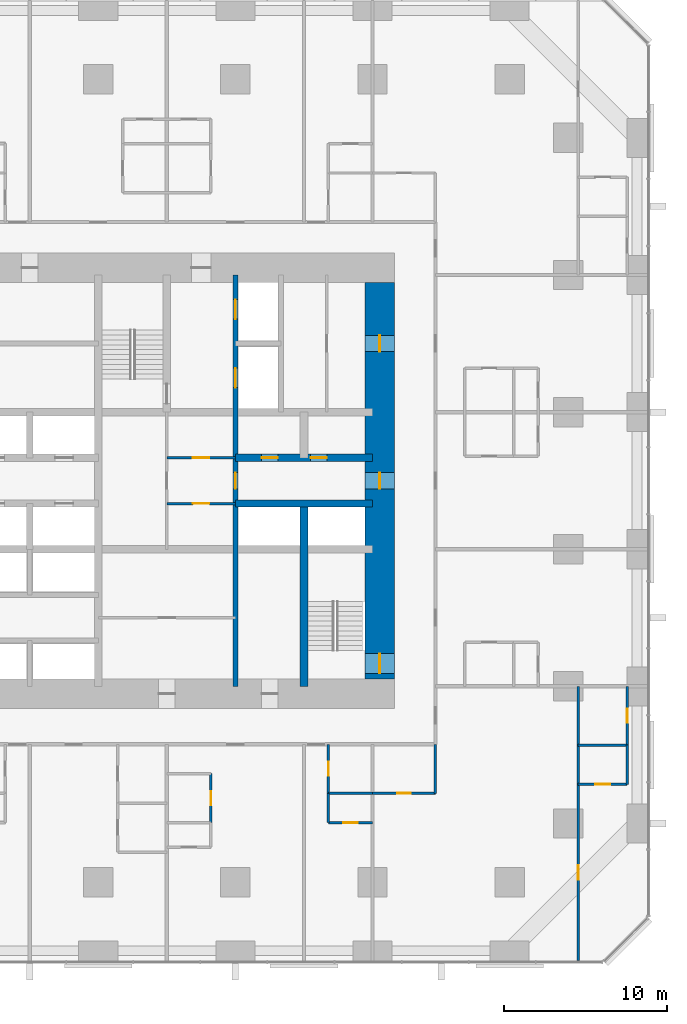
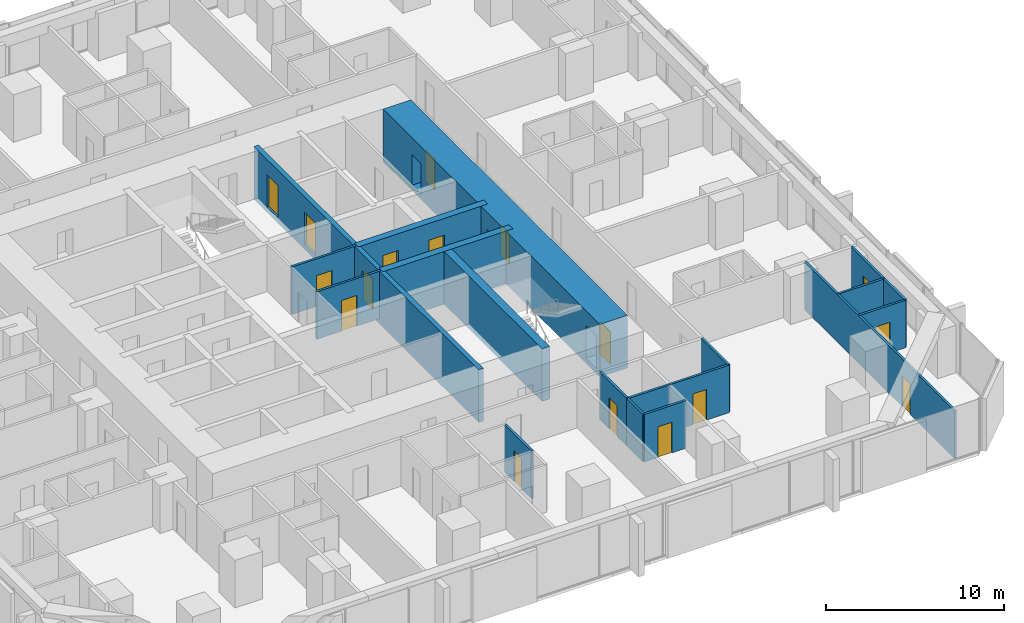
# One storey, part 13 of 17: 19 walls, 17 doors, 17 openings.
"""IFC4 building model written with IfcOpenShell, lengths in metres."""

from ifc_helpers import new_model, si_unit, direction, frame, frame_2d, origin, place, context, subcontext, project, spatial, rectangle, extrude, material, layer, layer_set, type_object, element, fill, save


model = new_model("IFC4")

# Units and contexts
model_context = context("Model", 3, precision=1e-05, world=origin(), true_north=direction((0.0, 1.0)))
body_context = subcontext(model_context, "Body", "Model", "MODEL_VIEW")
ifc_project = project(units=[si_unit("LENGTHUNIT", "METRE"), si_unit("AREAUNIT", "SQUARE_METRE"), si_unit("VOLUMEUNIT", "CUBIC_METRE"), si_unit("PLANEANGLEUNIT", "RADIAN"), si_unit("MASSUNIT", "GRAM", prefix="KILO")], contexts=[model_context])

# Site, building, storey
site_placement = place(None, origin())
site = spatial("IfcSite", under=ifc_project, at=site_placement, CompositionType="ELEMENT")
building_placement = place(site_placement, origin())
building = spatial("IfcBuilding", under=site, at=building_placement, Name="Dunama Terrace Hotel", CompositionType="ELEMENT")
storey_placement = place(building_placement, frame((0.0, 0.0, 34.199951171875)))
storey = spatial("IfcBuildingStorey", under=building, at=storey_placement, Name="L07", CompositionType="ELEMENT", Elevation=34.199951171875)

# Wall, opening, door
ifc_material_1 = material(Name="Gypsum board partition", Category="masonry")
ifc_layer_1 = layer(ifc_material_1, 0.14990234375)
ifc_layer_set_1 = layer_set([ifc_layer_1], Name="Bathroom partition 150")
wall_type_1 = type_object("IfcWallType", Name="Bathroom partition 150", PredefinedType="PARTITIONING", material=ifc_layer_set_1)
wall_1_placement = place(storey_placement, frame((32.10009765625, 8.449951171875, 0.0), z_axis=(0.0, 0.0, 1.0), x_axis=(0.0, 1.0, 0.0)))
wall_1 = element("IfcWall", 1, at=wall_1_placement, inside=storey, type_object=wall_type_1, Name="Bathroom partition 150 L07", PredefinedType="PARTITIONING", context=body_context, shape_type="SweptSolid", body=[
    extrude(rectangle(XDim=3.0, YDim=0.14990234375, at=frame_2d((1.5, 0.0))), origin(), (0.0, 0.0, 1.0), 3.25),
])
opening_1_placement = place(wall_1_placement, frame((1.074951171875, 0.0, 0.0)))
opening_1 = element("IfcOpeningElement", 2, at=opening_1_placement, cuts=wall_1, Name="Opening L07-09-016", PredefinedType="OPENING", context=body_context, shape_type="SweptSolid", body=[
    extrude(rectangle(XDim=0.85009765625, YDim=2.10009765625, at=frame_2d((0.425048828125, 1.050048828125))), frame((0.0, 0.0849609375, 0.0), z_axis=(0.0, -1.0, 0.0), x_axis=(1.0, 0.0, 0.0)), (0.0, 0.0, 1.0), 0.169921875),
])
ifc_material_2 = material(Name="Timber door with steel frame", Category="steel")
door_type_1 = type_object("IfcDoorType", Name="Bathroom door 850", OperationType="SINGLE_SWING_LEFT", PredefinedType="DOOR", material=ifc_material_2)
door_1_placement = place(opening_1_placement, origin())
door_1 = element("IfcDoor", 3, at=door_1_placement, inside=storey, type_object=door_type_1, Name="Door to en-suite bathroom L07-09-016, type D2", OperationType="SINGLE_SWING_LEFT", OverallHeight=2.10009765625, OverallWidth=0.85009765625, PredefinedType="DOOR", context=body_context, shape_type="SweptSolid", body=[
    extrude(rectangle(XDim=0.85009765625, YDim=2.10009765625, at=frame_2d((0.425048828125, 1.050048828125))), frame((0.0, 0.02490234375, 0.0), z_axis=(0.0, -1.0, 0.0), x_axis=(1.0, 0.0, 0.0)), (0.0, 0.0, 1.0), 0.050048828125),
])
fill(opening_1, door_1)

wall_2_placement = place(storey_placement, frame((39.300048828125, 10.25, 0.0), z_axis=(0.0, 0.0, 1.0), x_axis=(0.0, 1.0, 0.0)))
wall_2 = element("IfcWall", 4, at=wall_2_placement, inside=storey, type_object=wall_type_1, Name="Bathroom partition 150 L07", PredefinedType="PARTITIONING", context=body_context, shape_type="SweptSolid", body=[
    extrude(rectangle(XDim=3.0, YDim=0.14990234375, at=frame_2d((1.5, 0.0))), origin(), (0.0, 0.0, 1.0), 3.25),
])
opening_2_placement = place(wall_2_placement, frame((1.074951171875, 0.0, 0.0)))
opening_2 = element("IfcOpeningElement", 5, at=opening_2_placement, cuts=wall_2, Name="Opening L07-09-019", PredefinedType="OPENING", context=body_context, shape_type="SweptSolid", body=[
    extrude(rectangle(XDim=0.85009765625, YDim=2.10009765625, at=frame_2d((0.425048828125, 1.050048828125))), frame((0.0, 0.0849609375, 0.0), z_axis=(0.0, -1.0, 0.0), x_axis=(1.0, 0.0, 0.0)), (0.0, 0.0, 1.0), 0.169921875),
])
door_2_placement = place(opening_2_placement, frame((0.85009765625, 0.0, 0.0), z_axis=(0.0, 0.0, 1.0), x_axis=(-1.0, 0.0, 0.0)))
door_2 = element("IfcDoor", 6, at=door_2_placement, inside=storey, type_object=door_type_1, Name="Door to en-suite bathroom L07-09-019, type D2", OperationType="SINGLE_SWING_LEFT", OverallHeight=2.10009765625, OverallWidth=0.85009765625, PredefinedType="DOOR", context=body_context, shape_type="SweptSolid", body=[
    extrude(rectangle(XDim=0.85009765625, YDim=2.10009765625, at=frame_2d((0.425048828125, 1.050048828125))), frame((0.0, 0.025146484375, 0.0), z_axis=(0.0, -1.0, 0.0), x_axis=(1.0, 0.0, 0.0)), (0.0, 0.0, 1.0), 0.050048828125),
])
fill(opening_2, door_2)

# Wall
wall_3_placement = place(storey_placement, frame((45.85009765625, 10.25, 0.0), z_axis=(0.0, 0.0, 1.0), x_axis=(0.0, 1.0, 0.0)))
element("IfcWall", 7, at=wall_3_placement, inside=storey, type_object=wall_type_1, Name="Bathroom partition 150 L07", PredefinedType="PARTITIONING", context=body_context, shape_type="SweptSolid", body=[
    extrude(rectangle(XDim=3.0, YDim=0.14990234375, at=frame_2d((1.5, 0.0))), origin(), (0.0, 0.0, 1.0), 3.25),
])

# Wall, opening, door
wall_4_placement = place(storey_placement, frame((57.60009765625, 13.199951171875, 0.0), z_axis=(0.0, 0.0, 1.0), x_axis=(0.0, 1.0, 0.0)))
wall_4 = element("IfcWall", 8, at=wall_4_placement, inside=storey, type_object=wall_type_1, Name="Bathroom partition 150 L07", PredefinedType="PARTITIONING", context=body_context, shape_type="SweptSolid", body=[
    extrude(rectangle(XDim=3.60009765625, YDim=0.14990234375, at=frame_2d((1.800048828125, 0.0))), origin(), (0.0, 0.0, 1.0), 3.25),
])
opening_3_placement = place(wall_4_placement, frame((1.375, 0.0, 0.0)))
opening_3 = element("IfcOpeningElement", 9, at=opening_3_placement, cuts=wall_4, Name="Opening L07-09-066", PredefinedType="OPENING", context=body_context, shape_type="SweptSolid", body=[
    extrude(rectangle(XDim=0.85009765625, YDim=2.10009765625, at=frame_2d((0.425048828125, 1.050048828125))), frame((0.0, 0.0849609375, 0.0), z_axis=(0.0, -1.0, 0.0), x_axis=(1.0, 0.0, 0.0)), (0.0, 0.0, 1.0), 0.169921875),
])
door_3_placement = place(opening_3_placement, origin())
door_3 = element("IfcDoor", 10, at=door_3_placement, inside=storey, type_object=door_type_1, Name="Door to en-suite bathroom L07-09-066, type D2", OperationType="SINGLE_SWING_RIGHT", OverallHeight=2.10009765625, OverallWidth=0.85009765625, PredefinedType="DOOR", context=body_context, shape_type="SweptSolid", body=[
    extrude(rectangle(XDim=0.85009765625, YDim=2.10009765625, at=frame_2d((0.425048828125, 1.050048828125))), frame((0.0, 0.02490234375, 0.0), z_axis=(0.0, -1.0, 0.0), x_axis=(1.0, 0.0, 0.0)), (0.0, 0.0, 1.0), 0.050048828125),
])
fill(opening_3, door_3)

wall_5_placement = place(storey_placement, frame((42.0, 10.25, 0.0), z_axis=(0.0, 0.0, 1.0), x_axis=(1.0, 0.0, 0.0)))
wall_5 = element("IfcWall", 11, at=wall_5_placement, inside=storey, type_object=wall_type_1, Name="Bathroom partition 150 L07", PredefinedType="PARTITIONING", context=body_context, shape_type="SweptSolid", body=[
    extrude(rectangle(XDim=3.85009765625, YDim=0.14990234375, at=frame_2d((1.925048828125, 0.0))), origin(), (0.0, 0.0, 1.0), 3.25),
])
opening_4_placement = place(wall_5_placement, frame((1.5, 0.0, 0.0)))
opening_4 = element("IfcOpeningElement", 12, at=opening_4_placement, cuts=wall_5, Name="Opening L07-09-064", PredefinedType="OPENING", context=body_context, shape_type="SweptSolid", body=[
    extrude(rectangle(XDim=0.85009765625, YDim=2.10009765625, at=frame_2d((0.425048828125, 1.050048828125))), frame((0.0, 0.0849609375, 0.0), z_axis=(0.0, -1.0, 0.0), x_axis=(1.0, 0.0, 0.0)), (0.0, 0.0, 1.0), 0.169921875),
])
door_4_placement = place(opening_4_placement, origin())
door_4 = element("IfcDoor", 13, at=door_4_placement, inside=storey, type_object=door_type_1, Name="Door to powder room L07-09-064, type D2", OperationType="SINGLE_SWING_LEFT", OverallHeight=2.10009765625, OverallWidth=0.85009765625, PredefinedType="DOOR", context=body_context, shape_type="SweptSolid", body=[
    extrude(rectangle(XDim=0.85009765625, YDim=2.10009765625, at=frame_2d((0.425048828125, 1.050048828125))), frame((0.0, 0.02490234375, 0.0), z_axis=(0.0, -1.0, 0.0), x_axis=(1.0, 0.0, 0.0)), (0.0, 0.0, 1.0), 0.050048828125),
])
fill(opening_4, door_4)

# Wall, openings, doors
ifc_material_3 = material(Name="Concrete C50/60", Category="concrete")
ifc_layer_2 = layer(ifc_material_3, 0.300048828125)
ifc_layer_set_2 = layer_set([ifc_layer_2], Name="Core inner wall 300")
wall_type_2 = type_object("IfcWallType", Name="Core inner wall 300", PredefinedType="SHEAR", material=ifc_layer_set_2)
wall_6_placement = place(storey_placement, frame((33.60009765625, 16.800048828125, -0.349853515625), z_axis=(0.0, 0.0, 1.0), x_axis=(0.0, 1.0, 0.0)))
wall_6 = element("IfcWall", 14, at=wall_6_placement, inside=storey, type_object=wall_type_2, Name="Core inner wall 300 L07", PredefinedType="SHEAR", context=body_context, shape_type="SweptSolid", body=[
    extrude(rectangle(XDim=25.199951171875, YDim=0.300048828125, at=frame_2d((12.60009765625, 0.0))), origin(), (0.0, 0.0, 1.0), 3.599853515625),
])
opening_5_placement = place(wall_6_placement, frame((22.5, 0.0, 0.35009765625)))
opening_5 = element("IfcOpeningElement", 15, at=opening_5_placement, cuts=wall_6, Name="Opening L07-09-007", PredefinedType="OPENING", context=body_context, shape_type="SweptSolid", body=[
    extrude(rectangle(XDim=1.199951171875, YDim=2.199951171875, at=frame_2d((0.60009765625, 1.10009765625))), frame((0.0, 0.159912109375, 0.0), z_axis=(0.0, -1.0, 0.0), x_axis=(1.0, 0.0, 0.0)), (0.0, 0.0, 1.0), 0.320068359375),
])
opening_6_placement = place(wall_6_placement, frame((18.300048828125, 0.0, 0.35009765625)))
opening_6 = element("IfcOpeningElement", 16, at=opening_6_placement, cuts=wall_6, Name="Opening L07-09-008", PredefinedType="OPENING", context=body_context, shape_type="SweptSolid", body=[
    extrude(rectangle(XDim=1.199951171875, YDim=2.199951171875, at=frame_2d((0.60009765625, 1.10009765625))), frame((0.0, 0.159912109375, 0.0), z_axis=(0.0, -1.0, 0.0), x_axis=(1.0, 0.0, 0.0)), (0.0, 0.0, 1.0), 0.320068359375),
])
opening_7_placement = place(wall_6_placement, frame((12.10009765625, 0.0, 0.35009765625)))
opening_7 = element("IfcOpeningElement", 17, at=opening_7_placement, cuts=wall_6, Name="Opening L07-09-082", PredefinedType="OPENING", context=body_context, shape_type="SweptSolid", body=[
    extrude(rectangle(XDim=1.0, YDim=2.10009765625, at=frame_2d((0.5, 1.050048828125))), frame((0.0, 0.159912109375, 0.0), z_axis=(0.0, -1.0, 0.0), x_axis=(1.0, 0.0, 0.0)), (0.0, 0.0, 1.0), 0.320068359375),
])
ifc_material_4 = material(Name="Stainless steel lift door", Category="steel")
door_type_2 = type_object("IfcDoorType", Name="Firefighting lift landing door 1200", OperationType="DOUBLE_DOOR_SLIDING", PredefinedType="DOOR", material=ifc_material_4)
door_5_placement = place(opening_5_placement, origin())
door_5 = element("IfcDoor", 18, at=door_5_placement, inside=storey, type_object=door_type_2, Name="Landing door FL1 L07-09-007, type LD2", OperationType="DOUBLE_DOOR_SLIDING", OverallHeight=2.199951171875, OverallWidth=1.199951171875, PredefinedType="DOOR", context=body_context, shape_type="SweptSolid", body=[
    extrude(rectangle(XDim=1.199951171875, YDim=2.199951171875, at=frame_2d((0.60009765625, 1.10009765625))), frame((0.0, 0.02490234375, 0.0), z_axis=(0.0, -1.0, 0.0), x_axis=(1.0, 0.0, 0.0)), (0.0, 0.0, 1.0), 0.050048828125),
])
fill(opening_5, door_5)
door_6_placement = place(opening_6_placement, origin())
door_6 = element("IfcDoor", 19, at=door_6_placement, inside=storey, type_object=door_type_2, Name="Landing door FL2 L07-09-008, type LD2", OperationType="DOUBLE_DOOR_SLIDING", OverallHeight=2.199951171875, OverallWidth=1.199951171875, PredefinedType="DOOR", context=body_context, shape_type="SweptSolid", body=[
    extrude(rectangle(XDim=1.199951171875, YDim=2.199951171875, at=frame_2d((0.60009765625, 1.10009765625))), frame((0.0, 0.02490234375, 0.0), z_axis=(0.0, -1.0, 0.0), x_axis=(1.0, 0.0, 0.0)), (0.0, 0.0, 1.0), 0.050048828125),
])
fill(opening_6, door_6)
ifc_material_5 = material(Name="Timber door with steel frame", Category="steel")
door_type_3 = type_object("IfcDoorType", Name="Service door 1000", OperationType="SINGLE_SWING_LEFT", PredefinedType="DOOR", material=ifc_material_5)
door_7_placement = place(opening_7_placement, origin())
door_7 = element("IfcDoor", 20, at=door_7_placement, inside=storey, type_object=door_type_3, Name="Door to staff passage L07-09-082, type D7", OperationType="SINGLE_SWING_LEFT", OverallHeight=2.10009765625, OverallWidth=1.0, PredefinedType="DOOR", context=body_context, shape_type="SweptSolid", body=[
    extrude(rectangle(XDim=1.0, YDim=2.10009765625, at=frame_2d((0.5, 1.050048828125))), frame((0.0, 0.02490234375, 0.0), z_axis=(0.0, -1.0, 0.0), x_axis=(1.0, 0.0, 0.0)), (0.0, 0.0, 1.0), 0.050048828125),
])
fill(opening_7, door_7)

# Wall
ifc_material_6 = material(Name="Concrete C50/60", Category="concrete")
ifc_layer_3 = layer(ifc_material_6, 0.449951171875)
ifc_layer_set_3 = layer_set([ifc_layer_3], Name="Core inner wall 450")
wall_type_3 = type_object("IfcWallType", Name="Core inner wall 450", PredefinedType="SHEAR", material=ifc_layer_set_3)
wall_7_placement = place(storey_placement, frame((33.60009765625, 28.0, -0.349853515625), z_axis=(0.0, 0.0, 1.0), x_axis=(1.0, 0.0, 0.0)))
element("IfcWall", 21, at=wall_7_placement, inside=storey, type_object=wall_type_3, Name="Core inner wall 450 L07", PredefinedType="SHEAR", context=body_context, shape_type="SweptSolid", body=[
    extrude(rectangle(XDim=8.39990234375, YDim=0.449951171875, at=frame_2d((4.199951171875, 0.0))), origin(), (0.0, 0.0, 1.0), 3.599853515625),
])

# Wall, openings, doors
wall_8_placement = place(storey_placement, frame((33.60009765625, 30.800048828125, -0.349853515625), z_axis=(0.0, 0.0, 1.0), x_axis=(1.0, 0.0, 0.0)))
wall_8 = element("IfcWall", 22, at=wall_8_placement, inside=storey, type_object=wall_type_3, Name="Core inner wall 450 L07", PredefinedType="SHEAR", context=body_context, shape_type="SweptSolid", body=[
    extrude(rectangle(XDim=8.39990234375, YDim=0.449951171875, at=frame_2d((4.199951171875, 0.0))), origin(), (0.0, 0.0, 1.0), 3.599853515625),
])
opening_8_placement = place(wall_8_placement, frame((1.60009765625, 0.0, 0.35009765625)))
opening_8 = element("IfcOpeningElement", 23, at=opening_8_placement, cuts=wall_8, Name="Opening L07-09-086", PredefinedType="OPENING", context=body_context, shape_type="SweptSolid", body=[
    extrude(rectangle(XDim=1.0, YDim=2.10009765625, at=frame_2d((0.5, 1.050048828125))), frame((0.0, 0.23486328125, 0.0), z_axis=(0.0, -1.0, 0.0), x_axis=(1.0, 0.0, 0.0)), (0.0, 0.0, 1.0), 0.469970703125),
])
opening_9_placement = place(wall_8_placement, frame((4.60009765625, 0.0, 0.35009765625)))
opening_9 = element("IfcOpeningElement", 24, at=opening_9_placement, cuts=wall_8, Name="Opening L07-09-087", PredefinedType="OPENING", context=body_context, shape_type="SweptSolid", body=[
    extrude(rectangle(XDim=1.0, YDim=2.10009765625, at=frame_2d((0.5, 1.050048828125))), frame((0.0, 0.23486328125, 0.0), z_axis=(0.0, -1.0, 0.0), x_axis=(1.0, 0.0, 0.0)), (0.0, 0.0, 1.0), 0.469970703125),
])
door_8_placement = place(opening_8_placement, origin())
door_8 = element("IfcDoor", 25, at=door_8_placement, inside=storey, type_object=door_type_3, Name="Door to service riser L07-09-086, type D7", OperationType="SINGLE_SWING_RIGHT", OverallHeight=2.10009765625, OverallWidth=1.0, PredefinedType="DOOR", context=body_context, shape_type="SweptSolid", body=[
    extrude(rectangle(XDim=1.0, YDim=2.10009765625, at=frame_2d((0.5, 1.050048828125))), frame((0.0, 0.02490234375, 0.0), z_axis=(0.0, -1.0, 0.0), x_axis=(1.0, 0.0, 0.0)), (0.0, 0.0, 1.0), 0.050048828125),
])
fill(opening_8, door_8)
door_9_placement = place(opening_9_placement, origin())
door_9 = element("IfcDoor", 26, at=door_9_placement, inside=storey, type_object=door_type_3, Name="Door to staff accessible wc L07-09-087, type D7", OperationType="SINGLE_SWING_LEFT", OverallHeight=2.10009765625, OverallWidth=1.0, PredefinedType="DOOR", context=body_context, shape_type="SweptSolid", body=[
    extrude(rectangle(XDim=1.0, YDim=2.10009765625, at=frame_2d((0.5, 1.050048828125))), frame((0.0, 0.02490234375, 0.0), z_axis=(0.0, -1.0, 0.0), x_axis=(1.0, 0.0, 0.0)), (0.0, 0.0, 1.0), 0.050048828125),
])
fill(opening_9, door_9)

# Wall
ifc_material_7 = material(Name="Concrete C50/60", Category="concrete")
ifc_layer_4 = layer(ifc_material_7, 0.5)
ifc_layer_set_4 = layer_set([ifc_layer_4], Name="Core inner wall 500")
wall_type_4 = type_object("IfcWallType", Name="Core inner wall 500", PredefinedType="SHEAR", material=ifc_layer_set_4)
wall_9_placement = place(storey_placement, frame((37.800048828125, 16.800048828125, -0.349853515625), z_axis=(0.0, 0.0, 1.0), x_axis=(0.0, 1.0, 0.0)))
element("IfcWall", 27, at=wall_9_placement, inside=storey, type_object=wall_type_4, Name="Core inner wall 500 L07", PredefinedType="SHEAR", context=body_context, shape_type="SweptSolid", body=[
    extrude(rectangle(XDim=11.199951171875, YDim=0.5, at=frame_2d((5.60009765625, 0.0))), origin(), (0.0, 0.0, 1.0), 3.599853515625),
])

# Wall, openings, doors
ifc_material_8 = material(Name="Concrete C60/75", Category="concrete")
ifc_layer_5 = layer(ifc_material_8, 1.800048828125)
ifc_layer_set_5 = layer_set([ifc_layer_5], Name="Core wall 1800")
wall_type_5 = type_object("IfcWallType", Name="Core wall 1800", PredefinedType="SHEAR", material=ifc_layer_set_5)
wall_10_placement = place(storey_placement, frame((42.449951171875, 17.25, -0.349853515625), z_axis=(0.0, 0.0, 1.0), x_axis=(0.0, 1.0, 0.0)))
wall_10 = element("IfcWall", 28, at=wall_10_placement, inside=storey, type_object=wall_type_5, Name="Core wall east L07", PredefinedType="SHEAR", context=body_context, shape_type="SweptSolid", body=[
    extrude(rectangle(XDim=24.300048828125, YDim=1.800048828125, at=frame_2d((12.14990234375, 0.0))), origin(), (0.0, 0.0, 1.0), 3.599853515625),
])
opening_10_placement = place(wall_10_placement, frame((0.35009765625, 0.0, 0.35009765625)))
opening_10 = element("IfcOpeningElement", 29, at=opening_10_placement, cuts=wall_10, Name="Opening L07-09-002", PredefinedType="OPENING", context=body_context, shape_type="SweptSolid", body=[
    extrude(rectangle(XDim=1.199951171875, YDim=2.199951171875, at=frame_2d((0.60009765625, 1.10009765625))), frame((0.0, 0.909912109375, 0.0), z_axis=(0.0, -1.0, 0.0), x_axis=(1.0, 0.0, 0.0)), (0.0, 0.0, 1.0), 1.820068359375),
])
opening_11_placement = place(wall_10_placement, frame((11.64990234375, 0.0, 0.35009765625)))
opening_11 = element("IfcOpeningElement", 30, at=opening_11_placement, cuts=wall_10, Name="Opening L07-09-088", PredefinedType="OPENING", context=body_context, shape_type="SweptSolid", body=[
    extrude(rectangle(XDim=1.0, YDim=2.10009765625, at=frame_2d((0.5, 1.050048828125))), frame((0.0, 0.909912109375, 0.0), z_axis=(0.0, -1.0, 0.0), x_axis=(1.0, 0.0, 0.0)), (0.0, 0.0, 1.0), 1.820068359375),
])
opening_12_placement = place(wall_10_placement, frame((20.050048828125, 0.0, 0.35009765625)))
opening_12 = element("IfcOpeningElement", 31, at=opening_12_placement, cuts=wall_10, Name="Opening L07-09-090", PredefinedType="OPENING", context=body_context, shape_type="SweptSolid", body=[
    extrude(rectangle(XDim=1.0, YDim=2.10009765625, at=frame_2d((0.5, 1.050048828125))), frame((0.0, 0.909912109375, 0.0), z_axis=(0.0, -1.0, 0.0), x_axis=(1.0, 0.0, 0.0)), (0.0, 0.0, 1.0), 1.820068359375),
])
door_10_placement = place(opening_11_placement, origin())
door_10 = element("IfcDoor", 32, at=door_10_placement, inside=storey, type_object=door_type_3, Name="Door to service lobby L07-09-088, type D7", OperationType="SINGLE_SWING_LEFT", OverallHeight=2.10009765625, OverallWidth=1.0, PredefinedType="DOOR", context=body_context, shape_type="SweptSolid", body=[
    extrude(rectangle(XDim=1.0, YDim=2.10009765625, at=frame_2d((0.5, 1.050048828125))), frame((0.0, 0.02490234375, 0.0), z_axis=(0.0, -1.0, 0.0), x_axis=(1.0, 0.0, 0.0)), (0.0, 0.0, 1.0), 0.050048828125),
])
fill(opening_11, door_10)
door_11_placement = place(opening_12_placement, origin())
door_11 = element("IfcDoor", 33, at=door_11_placement, inside=storey, type_object=door_type_3, Name="Door to housekeeping store L07-09-090, type D7", OperationType="SINGLE_SWING_LEFT", OverallHeight=2.10009765625, OverallWidth=1.0, PredefinedType="DOOR", context=body_context, shape_type="SweptSolid", body=[
    extrude(rectangle(XDim=1.0, YDim=2.10009765625, at=frame_2d((0.5, 1.050048828125))), frame((0.0, 0.02490234375, 0.0), z_axis=(0.0, -1.0, 0.0), x_axis=(1.0, 0.0, 0.0)), (0.0, 0.0, 1.0), 0.050048828125),
])
fill(opening_12, door_11)
ifc_material_9 = material(Name="Timber door with steel frame", Category="steel")
door_type_4 = type_object("IfcDoorType", Name="Stair door 1200", OperationType="SINGLE_SWING_LEFT", PredefinedType="DOOR", material=ifc_material_9)
door_12_placement = place(opening_10_placement, origin())
door_12 = element("IfcDoor", 34, at=door_12_placement, inside=storey, type_object=door_type_4, Name="Stair door ST2 L07-09-002, type D5", OperationType="SINGLE_SWING_LEFT", OverallHeight=2.199951171875, OverallWidth=1.199951171875, PredefinedType="DOOR", context=body_context, shape_type="SweptSolid", body=[
    extrude(rectangle(XDim=1.199951171875, YDim=2.199951171875, at=frame_2d((0.60009765625, 1.10009765625))), frame((0.0, 0.02490234375, 0.0), z_axis=(0.0, -1.0, 0.0), x_axis=(1.0, 0.0, 0.0)), (0.0, 0.0, 1.0), 0.050048828125),
])
fill(opening_10, door_12)

# Wall
ifc_material_10 = material(Name="Gypsum board partition", Category="masonry")
ifc_layer_6 = layer(ifc_material_10, 0.14990234375)
ifc_layer_set_6 = layer_set([ifc_layer_6], Name="Room partition 150")
wall_type_6 = type_object("IfcWallType", Name="Room partition 150", PredefinedType="PARTITIONING", material=ifc_layer_set_6)
wall_11_placement = place(storey_placement, frame((39.300048828125, 8.449951171875, 0.0), z_axis=(0.0, 0.0, 1.0), x_axis=(0.0, 1.0, 0.0)))
element("IfcWall", 35, at=wall_11_placement, inside=storey, type_object=wall_type_6, Name="Room partition 150 L07", PredefinedType="PARTITIONING", context=body_context, shape_type="SweptSolid", body=[
    extrude(rectangle(XDim=1.800048828125, YDim=0.14990234375, at=frame_2d((0.89990234375, 0.0))), origin(), (0.0, 0.0, 1.0), 3.25),
])

# Wall, opening, door
wall_12_placement = place(storey_placement, frame((54.60009765625, -0.008056640625, 0.0), z_axis=(0.0, 0.0, 1.0), x_axis=(0.0, 1.0, 0.0)))
wall_12 = element("IfcWall", 36, at=wall_12_placement, inside=storey, type_object=wall_type_6, Name="Room partition 150 L07", PredefinedType="PARTITIONING", context=body_context, shape_type="SweptSolid", body=[
    extrude(rectangle(XDim=16.80810546875, YDim=0.14990234375, at=frame_2d((8.404052734375, 0.0))), origin(), (0.0, 0.0, 1.0), 3.25),
])
opening_13_placement = place(wall_12_placement, frame((4.9580078125, 0.0, 0.0)))
opening_13 = element("IfcOpeningElement", 37, at=opening_13_placement, cuts=wall_12, Name="Opening L07-09-065", PredefinedType="OPENING", context=body_context, shape_type="SweptSolid", body=[
    extrude(rectangle(XDim=0.89990234375, YDim=2.10009765625, at=frame_2d((0.449951171875, 1.050048828125))), frame((0.0, 0.0849609375, 0.0), z_axis=(0.0, -1.0, 0.0), x_axis=(1.0, 0.0, 0.0)), (0.0, 0.0, 1.0), 0.169921875),
])
ifc_material_11 = material(Name="Timber door with steel frame", Category="steel")
door_type_5 = type_object("IfcDoorType", Name="Suite internal door 900", OperationType="SINGLE_SWING_LEFT", PredefinedType="DOOR", material=ifc_material_11)
door_13_placement = place(opening_13_placement, frame((0.89990234375, 0.0, 0.0), z_axis=(0.0, 0.0, 1.0), x_axis=(-1.0, 0.0, 0.0)))
door_13 = element("IfcDoor", 38, at=door_13_placement, inside=storey, type_object=door_type_5, Name="Door to corner suite bedroom L07-09-065, type D16", OperationType="SINGLE_SWING_LEFT", OverallHeight=2.10009765625, OverallWidth=0.89990234375, PredefinedType="DOOR", context=body_context, shape_type="SweptSolid", body=[
    extrude(rectangle(XDim=0.89990234375, YDim=2.10009765625, at=frame_2d((0.449951171875, 1.050048828125))), frame((0.0, 0.025146484375, 0.0), z_axis=(0.0, -1.0, 0.0), x_axis=(1.0, 0.0, 0.0)), (0.0, 0.0, 1.0), 0.050048828125),
])
fill(opening_13, door_13)

# Wall
wall_13_placement = place(storey_placement, frame((57.60009765625, 10.800048828125, 0.0), z_axis=(0.0, 0.0, 1.0), x_axis=(0.0, 1.0, 0.0)))
element("IfcWall", 39, at=wall_13_placement, inside=storey, type_object=wall_type_6, Name="Room partition 150 L07", PredefinedType="PARTITIONING", context=body_context, shape_type="SweptSolid", body=[
    extrude(rectangle(XDim=2.39990234375, YDim=0.14990234375, at=frame_2d((1.199951171875, 0.0))), origin(), (0.0, 0.0, 1.0), 3.25),
])

# Wall, opening, door
wall_14_placement = place(storey_placement, frame((39.300048828125, 8.449951171875, 0.0), z_axis=(0.0, 0.0, 1.0), x_axis=(1.0, 0.0, 0.0)))
wall_14 = element("IfcWall", 40, at=wall_14_placement, inside=storey, type_object=wall_type_6, Name="Room partition 150 L07", PredefinedType="PARTITIONING", context=body_context, shape_type="SweptSolid", body=[
    extrude(rectangle(XDim=2.699951171875, YDim=0.14990234375, at=frame_2d((1.35009765625, 0.0))), origin(), (0.0, 0.0, 1.0), 3.25),
])
opening_14_placement = place(wall_14_placement, frame((0.89990234375, 0.0, 0.0)))
opening_14 = element("IfcOpeningElement", 41, at=opening_14_placement, cuts=wall_14, Name="Opening L07-09-020", PredefinedType="OPENING", context=body_context, shape_type="SweptSolid", body=[
    extrude(rectangle(XDim=0.89990234375, YDim=2.10009765625, at=frame_2d((0.449951171875, 1.050048828125))), frame((0.0, 0.0849609375, 0.0), z_axis=(0.0, -1.0, 0.0), x_axis=(1.0, 0.0, 0.0)), (0.0, 0.0, 1.0), 0.169921875),
])
door_14_placement = place(opening_14_placement, origin())
door_14 = element("IfcDoor", 42, at=door_14_placement, inside=storey, type_object=door_type_5, Name="Door to walk-in wardrobe L07-09-020, type D16", OperationType="SINGLE_SWING_RIGHT", OverallHeight=2.10009765625, OverallWidth=0.89990234375, PredefinedType="DOOR", context=body_context, shape_type="SweptSolid", body=[
    extrude(rectangle(XDim=0.89990234375, YDim=2.10009765625, at=frame_2d((0.449951171875, 1.050048828125))), frame((0.0, 0.02490234375, 0.0), z_axis=(0.0, -1.0, 0.0), x_axis=(1.0, 0.0, 0.0)), (0.0, 0.0, 1.0), 0.050048828125),
])
fill(opening_14, door_14)

# Wall
wall_15_placement = place(storey_placement, frame((39.300048828125, 10.25, 0.0), z_axis=(0.0, 0.0, 1.0), x_axis=(1.0, 0.0, 0.0)))
element("IfcWall", 43, at=wall_15_placement, inside=storey, type_object=wall_type_6, Name="Room partition 150 L07", PredefinedType="PARTITIONING", context=body_context, shape_type="SweptSolid", body=[
    extrude(rectangle(XDim=2.699951171875, YDim=0.14990234375, at=frame_2d((1.35009765625, 0.0))), origin(), (0.0, 0.0, 1.0), 3.25),
])

# Wall, opening, door
wall_16_placement = place(storey_placement, frame((54.60009765625, 10.800048828125, 0.0), z_axis=(0.0, 0.0, 1.0), x_axis=(1.0, 0.0, 0.0)))
wall_16 = element("IfcWall", 44, at=wall_16_placement, inside=storey, type_object=wall_type_6, Name="Room partition 150 L07", PredefinedType="PARTITIONING", context=body_context, shape_type="SweptSolid", body=[
    extrude(rectangle(XDim=3.0, YDim=0.14990234375, at=frame_2d((1.5, 0.0))), origin(), (0.0, 0.0, 1.0), 3.25),
])
opening_15_placement = place(wall_16_placement, frame((1.050048828125, 0.0, 0.0)))
opening_15 = element("IfcOpeningElement", 45, at=opening_15_placement, cuts=wall_16, Name="Opening L07-09-067", PredefinedType="OPENING", context=body_context, shape_type="SweptSolid", body=[
    extrude(rectangle(XDim=0.89990234375, YDim=2.10009765625, at=frame_2d((0.449951171875, 1.050048828125))), frame((0.0, 0.0849609375, 0.0), z_axis=(0.0, -1.0, 0.0), x_axis=(1.0, 0.0, 0.0)), (0.0, 0.0, 1.0), 0.169921875),
])
door_15_placement = place(opening_15_placement, origin())
door_15 = element("IfcDoor", 46, at=door_15_placement, inside=storey, type_object=door_type_5, Name="Door to dressing room L07-09-067, type D16", OperationType="SINGLE_SWING_LEFT", OverallHeight=2.10009765625, OverallWidth=0.89990234375, PredefinedType="DOOR", context=body_context, shape_type="SweptSolid", body=[
    extrude(rectangle(XDim=0.89990234375, YDim=2.10009765625, at=frame_2d((0.449951171875, 1.050048828125))), frame((0.0, 0.02490234375, 0.0), z_axis=(0.0, -1.0, 0.0), x_axis=(1.0, 0.0, 0.0)), (0.0, 0.0, 1.0), 0.050048828125),
])
fill(opening_15, door_15)

# Wall
wall_17_placement = place(storey_placement, frame((54.60009765625, 13.199951171875, 0.0), z_axis=(0.0, 0.0, 1.0), x_axis=(1.0, 0.0, 0.0)))
element("IfcWall", 47, at=wall_17_placement, inside=storey, type_object=wall_type_6, Name="Room partition 150 L07", PredefinedType="PARTITIONING", context=body_context, shape_type="SweptSolid", body=[
    extrude(rectangle(XDim=3.0, YDim=0.14990234375, at=frame_2d((1.5, 0.0))), origin(), (0.0, 0.0, 1.0), 3.25),
])

# Wall, opening, door
wall_18_placement = place(storey_placement, frame((29.39990234375, 28.0, 0.0), z_axis=(0.0, 0.0, 1.0), x_axis=(1.0, 0.0, 0.0)))
wall_18 = element("IfcWall", 48, at=wall_18_placement, inside=storey, type_object=wall_type_6, Name="Room partition 150 L07", PredefinedType="PARTITIONING", context=body_context, shape_type="SweptSolid", body=[
    extrude(rectangle(XDim=4.2001953125, YDim=0.14990234375, at=frame_2d((2.10009765625, 0.0))), origin(), (0.0, 0.0, 1.0), 3.25),
])
opening_16_placement = place(wall_18_placement, frame((1.60009765625, 0.0, 0.0)))
opening_16 = element("IfcOpeningElement", 49, at=opening_16_placement, cuts=wall_18, Name="Opening L07-09-083", PredefinedType="OPENING", context=body_context, shape_type="SweptSolid", body=[
    extrude(rectangle(XDim=1.0, YDim=2.10009765625, at=frame_2d((0.5, 1.050048828125))), frame((0.0, 0.0849609375, 0.0), z_axis=(0.0, -1.0, 0.0), x_axis=(1.0, 0.0, 0.0)), (0.0, 0.0, 1.0), 0.169921875),
])
door_16_placement = place(opening_16_placement, frame((1.0, 0.0, 0.0), z_axis=(0.0, 0.0, 1.0), x_axis=(-1.0, 0.0, 0.0)))
door_16 = element("IfcDoor", 50, at=door_16_placement, inside=storey, type_object=door_type_3, Name="Door to linen and housekeeping room L07-09-083, type D7", OperationType="SINGLE_SWING_LEFT", OverallHeight=2.10009765625, OverallWidth=1.0, PredefinedType="DOOR", context=body_context, shape_type="SweptSolid", body=[
    extrude(rectangle(XDim=1.0, YDim=2.10009765625, at=frame_2d((0.5, 1.050048828125))), frame((0.0, 0.025146484375, 0.0), z_axis=(0.0, -1.0, 0.0), x_axis=(1.0, 0.0, 0.0)), (0.0, 0.0, 1.0), 0.050048828125),
])
fill(opening_16, door_16)

wall_19_placement = place(storey_placement, frame((29.39990234375, 30.800048828125, 0.0), z_axis=(0.0, 0.0, 1.0), x_axis=(1.0, 0.0, 0.0)))
wall_19 = element("IfcWall", 51, at=wall_19_placement, inside=storey, type_object=wall_type_6, Name="Room partition 150 L07", PredefinedType="PARTITIONING", context=body_context, shape_type="SweptSolid", body=[
    extrude(rectangle(XDim=4.2001953125, YDim=0.14990234375, at=frame_2d((2.10009765625, 0.0))), origin(), (0.0, 0.0, 1.0), 3.25),
])
opening_17_placement = place(wall_19_placement, frame((1.60009765625, 0.0, 0.0)))
opening_17 = element("IfcOpeningElement", 52, at=opening_17_placement, cuts=wall_19, Name="Opening L07-09-084", PredefinedType="OPENING", context=body_context, shape_type="SweptSolid", body=[
    extrude(rectangle(XDim=1.0, YDim=2.10009765625, at=frame_2d((0.5, 1.050048828125))), frame((0.0, 0.0849609375, 0.0), z_axis=(0.0, -1.0, 0.0), x_axis=(1.0, 0.0, 0.0)), (0.0, 0.0, 1.0), 0.169921875),
])
door_17_placement = place(opening_17_placement, origin())
door_17 = element("IfcDoor", 53, at=door_17_placement, inside=storey, type_object=door_type_3, Name="Door to room service pantry L07-09-084, type D7", OperationType="SINGLE_SWING_RIGHT", OverallHeight=2.10009765625, OverallWidth=1.0, PredefinedType="DOOR", context=body_context, shape_type="SweptSolid", body=[
    extrude(rectangle(XDim=1.0, YDim=2.10009765625, at=frame_2d((0.5, 1.050048828125))), frame((0.0, 0.02490234375, 0.0), z_axis=(0.0, -1.0, 0.0), x_axis=(1.0, 0.0, 0.0)), (0.0, 0.0, 1.0), 0.050048828125),
])
fill(opening_17, door_17)

save(model, "model.ifc")
